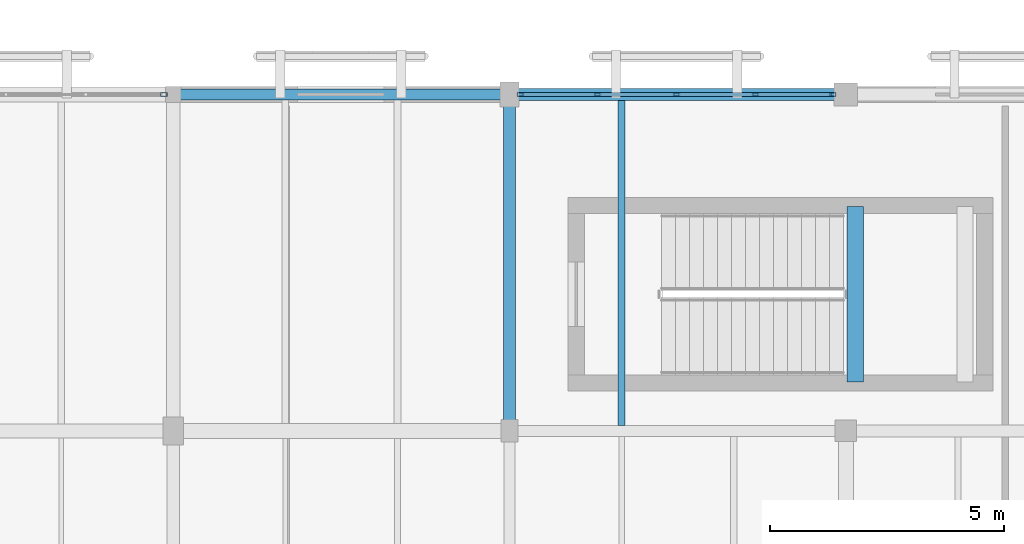
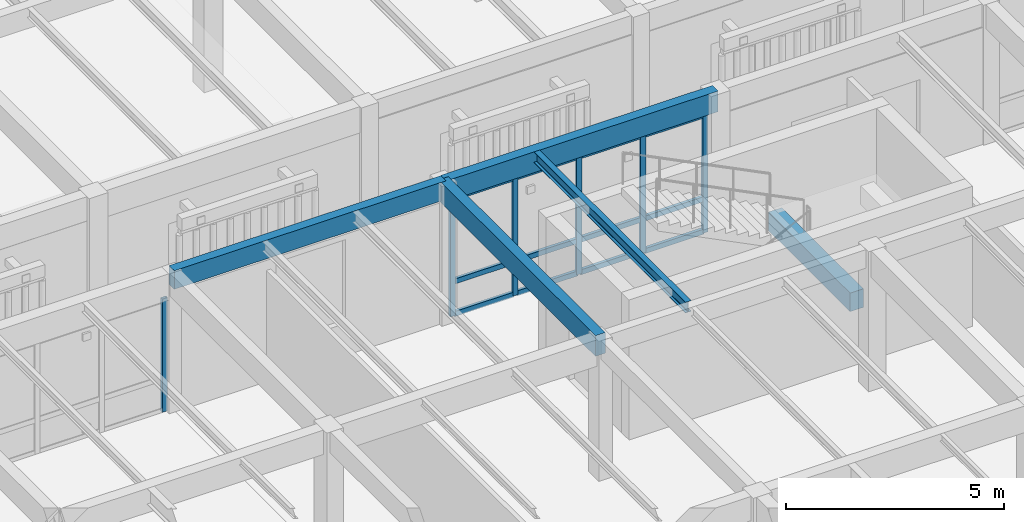
# One storey, part 139 of 217: 18 members, 5 beams, 2 elements without a shape of their own.
"""IFC4 building model written with IfcOpenShell, lengths in metres."""

import ifcopenshell
import ifcopenshell.guid

model = None  # the IFC model being written
_history = None  # IfcOwnerHistory: only IFC2X3 demands one
_inside = {}  # id of a spatial element -> (the spatial element, [elements in it])
_under = {}  # id of a project, library or spatial element -> (it, [spatial elements below it])
_declared = {}  # id of a project -> (the project, [libraries it declares])
_typed = {}  # id of a type object -> (the type object, [elements of that type])
_made_of = {}  # id of a material, layer set ... -> (it, [elements and type objects made of it])


def new_model(schema):
    """Start an empty IFC model of exactly this schema.

    Asked for "IFC4X3", IfcOpenShell would pick the latest addendum, in which some entities
    have other attributes; the version numbers below select the first issue.
    IFC2X3 requires an IfcOwnerHistory on every rooted entity: one is made here for all.
    """
    global model, _history
    if schema == "IFC4X3":
        model = ifcopenshell.file(schema_version=(4, 3, 0, 0))
    else:
        model = ifcopenshell.file(schema=schema)
    _inside.clear()
    _under.clear()
    _declared.clear()
    _typed.clear()
    _made_of.clear()
    _history = None
    if model.schema == "IFC2X3":
        org = make("IfcOrganization", Name="unknown")
        user = make(
            "IfcPersonAndOrganization",
            ThePerson=make("IfcPerson", FamilyName="unknown"),
            TheOrganization=org,
        )
        app = make(
            "IfcApplication",
            ApplicationDeveloper=org,
            Version="unknown",
            ApplicationFullName="unknown",
            ApplicationIdentifier="unknown",
        )
        _history = make(
            "IfcOwnerHistory",
            OwningUser=user,
            OwningApplication=app,
            ChangeAction="ADDED",
            CreationDate=0,
        )
    return model


def make(cls, **values):
    """One entity of the class cls with the attributes given. An attribute that is None is left unset."""
    return model.create_entity(
        cls, **{name: value for name, value in values.items() if value is not None}
    )


def rooted(cls, **values):
    """An entity with a GlobalId (a new one), such as an element, a storey or a relation."""
    return make(cls, GlobalId=ifcopenshell.guid.new(), OwnerHistory=_history, **values)


def si_unit(unit_type, name, prefix=None):
    """IfcSIUnit, for example si_unit("LENGTHUNIT", "METRE", prefix="MILLI")."""
    return make("IfcSIUnit", UnitType=unit_type, Prefix=prefix, Name=name)


def assignment(units):
    """IfcUnitAssignment: the units of a project."""
    return None if units is None else make("IfcUnitAssignment", Units=units)


def point(xyz):
    """IfcCartesianPoint."""
    return None if xyz is None else make("IfcCartesianPoint", Coordinates=xyz)


def direction(xyz):
    """IfcDirection."""
    return None if xyz is None else make("IfcDirection", DirectionRatios=xyz)


def frame(location, z_axis=None, x_axis=None):
    """IfcAxis2Placement3D, a coordinate frame: its origin and axes. An axis left out is left unset."""
    return make(
        "IfcAxis2Placement3D",
        Location=point(location),
        Axis=direction(z_axis),
        RefDirection=direction(x_axis),
    )


def frame_2d(location, x_axis=None):
    """IfcAxis2Placement2D, a coordinate frame in the plane: its origin and x axis."""
    return make(
        "IfcAxis2Placement2D", Location=point(location), RefDirection=direction(x_axis)
    )


def origin():
    """The frame at (0, 0, 0) with its axes left unset."""
    return frame((0.0, 0.0, 0.0))


def origin_2d():
    """The frame at (0, 0) in the plane with its x axis left unset."""
    return frame_2d((0.0, 0.0))


def place(relative_to, where):
    """IfcLocalPlacement: puts the frame where relative to a parent placement (None: the world)."""
    return make(
        "IfcLocalPlacement", PlacementRelTo=relative_to, RelativePlacement=where
    )


def context(
    kind, dimensions, precision=None, world=None, true_north=None, identifier=None
):
    """IfcGeometricRepresentationContext, for example the 3D "Model" context."""
    return make(
        "IfcGeometricRepresentationContext",
        ContextIdentifier=identifier,
        ContextType=kind,
        CoordinateSpaceDimension=dimensions,
        Precision=precision,
        WorldCoordinateSystem=world,
        TrueNorth=true_north,
    )


def subcontext(parent, identifier, kind, view, scale=None):
    """IfcGeometricRepresentationSubContext, for example "Body" below "Model"."""
    return make(
        "IfcGeometricRepresentationSubContext",
        ContextIdentifier=identifier,
        ContextType=kind,
        ParentContext=parent,
        TargetScale=scale,
        TargetView=view,
    )


def project(units=None, contexts=None):
    """IfcProject with its units and contexts."""
    return rooted(
        "IfcProject",
        Name="project",
        RepresentationContexts=contexts,
        UnitsInContext=assignment(units),
    )


def spatial(cls, under=None, at=None, **own):
    """A site, building, storey or space (cls), placed at a placement, below another one or the project."""
    s = rooted(cls, ObjectPlacement=at, **own)
    if under is not None:
        _under.setdefault(under.id(), (under, []))[1].append(s)
    return s


def profile(cls, at=None, kind="AREA", **sizes):
    """A parametric profile (cls). Its sizes go by their IFC names, for example OverallWidth=200.0."""
    return make(cls, ProfileType=kind, Position=at, **sizes)


def rectangle(**sizes):
    """IfcRectangleProfileDef."""
    return profile("IfcRectangleProfileDef", **sizes)


def hollow_rectangle(**sizes):
    """IfcRectangleHollowProfileDef."""
    return profile("IfcRectangleHollowProfileDef", **sizes)


def i_section(**sizes):
    """IfcIShapeProfileDef."""
    return profile("IfcIShapeProfileDef", **sizes)


def extrude(swept, where, along, depth):
    """IfcExtrudedAreaSolid: the profile swept, set in the frame where, extruded along a direction by depth."""
    return make(
        "IfcExtrudedAreaSolid",
        SweptArea=swept,
        Position=where,
        ExtrudedDirection=direction(along),
        Depth=depth,
    )


def shape(context_of_items, identifier, shape_type, items):
    """IfcShapeRepresentation: the items that make up one representation, for example the "Body"."""
    return make(
        "IfcShapeRepresentation",
        ContextOfItems=context_of_items,
        RepresentationIdentifier=identifier,
        RepresentationType=shape_type,
        Items=items,
    )


def material(Name=None, Category=None):
    """IfcMaterial."""
    return make("IfcMaterial", Name=Name, Category=Category)


def layer(
    of_material, thickness, ventilated=None, Name=None, Category=None, Priority=None
):
    """IfcMaterialLayer: one layer of a wall or slab, of a material (None: an air gap)."""
    return make(
        "IfcMaterialLayer",
        Material=of_material,
        LayerThickness=thickness,
        IsVentilated=ventilated,
        Name=Name,
        Category=Category,
        Priority=Priority,
    )


def layer_set(layers, Name=None):
    """IfcMaterialLayerSet."""
    return make("IfcMaterialLayerSet", MaterialLayers=layers, LayerSetName=Name)


def material_profile(
    of_material, cross_section, Name=None, Category=None, Priority=None
):
    """IfcMaterialProfile: a cross section and its material."""
    return make(
        "IfcMaterialProfile",
        Name=Name,
        Material=of_material,
        Profile=cross_section,
        Priority=Priority,
        Category=Category,
    )


def profile_set(profiles, Name=None, composite=None):
    """IfcMaterialProfileSet."""
    return make(
        "IfcMaterialProfileSet",
        Name=Name,
        MaterialProfiles=profiles,
        CompositeProfile=composite,
    )


def made_of(thing, what):
    """Note that an element or type object is made of a material, layer set ...; save() writes the relation."""
    if what is not None:
        _made_of.setdefault(what.id(), (what, []))[1].append(thing)
    return thing


def type_object(cls, material=None, **own):
    """A type object (cls), such as IfcWallType, which elements share."""
    return made_of(rooted(cls, **own), material)


def element(
    cls,
    number,
    at=None,
    inside=None,
    cuts=None,
    type_object=None,
    material=None,
    context=None,
    identifier="Body",
    shape_type=None,
    held_by="IfcProductDefinitionShape",
    body=None,
    shapes=None,
    **own,
):
    """One element of the class cls, such as IfcWall. Its Tag is "e" and its number.

    at: its placement. inside: the storey or other place that contains it. cuts: it is an
    opening in that element (IfcRelVoidsElement). A single representation is given by context,
    identifier, shape_type and body (its items); several are given by shapes. held_by: the class
    of the entity that holds the representations. save() writes the other relations.
    """
    e = rooted(cls, Tag="e%d" % number, ObjectPlacement=at, **own)
    if body is not None:
        shapes = [shape(context, identifier, shape_type, body)]
    if shapes is not None:
        e.Representation = make(held_by, Representations=shapes)
    if inside is not None:
        _inside.setdefault(inside.id(), (inside, []))[1].append(e)
    if cuts is not None:
        rooted(
            "IfcRelVoidsElement", RelatingBuildingElement=cuts, RelatedOpeningElement=e
        )
    if type_object is not None:
        _typed.setdefault(type_object.id(), (type_object, []))[1].append(e)
    return made_of(e, material)


def aggregate(whole, parts):
    """IfcRelAggregates: a whole, such as a stair, and the parts it consists of."""
    return rooted("IfcRelAggregates", RelatingObject=whole, RelatedObjects=parts)


def save(model, path):
    """Write the relations noted so far, then the file.

    IfcRelAggregates (storeys below a building ...), IfcRelContainedInSpatialStructure (elements
    in a storey), IfcRelDefinesByType, IfcRelAssociatesMaterial and IfcRelDeclares: one each for
    every whole, place, type object, material and project.
    """
    for whole, parts in _under.values():
        aggregate(whole, parts)
    for where, things in _inside.values():
        rooted(
            "IfcRelContainedInSpatialStructure",
            RelatedElements=things,
            RelatingStructure=where,
        )
    for kind, things in _typed.values():
        rooted("IfcRelDefinesByType", RelatedObjects=things, RelatingType=kind)
    for what, things in _made_of.values():
        rooted("IfcRelAssociatesMaterial", RelatedObjects=things, RelatingMaterial=what)
    for by, libraries in _declared.values():
        rooted("IfcRelDeclares", RelatingContext=by, RelatedDefinitions=libraries)
    model.write(path)


model = new_model("IFC4")

# Units and contexts
model_context = context("Model", 3, precision=1e-05, world=origin(), true_north=direction((0.0, 1.0)))
body_context = subcontext(model_context, "Body", "Model", "MODEL_VIEW")
ifc_project = project(units=[si_unit("LENGTHUNIT", "METRE"), si_unit("AREAUNIT", "SQUARE_METRE"), si_unit("VOLUMEUNIT", "CUBIC_METRE"), si_unit("PLANEANGLEUNIT", "RADIAN"), si_unit("MASSUNIT", "GRAM", prefix="KILO")], contexts=[model_context])

# Site, building, storey
site_placement = place(None, origin())
site = spatial("IfcSite", under=ifc_project, at=site_placement, CompositionType="ELEMENT")
building_placement = place(site_placement, origin())
building = spatial("IfcBuilding", under=site, at=building_placement, Name="Mazaris Harbour Polytechnic", CompositionType="ELEMENT")
storey_placement = place(building_placement, frame((0.0, 0.0, 9.60009765625)))
storey = spatial("IfcBuildingStorey", under=building, at=storey_placement, Name="L02", CompositionType="ELEMENT", Elevation=9.60009765625)

# Curtain wall, member
ifc_material_1 = material(Name="Anodised Bronze Aluminium and Low-E Glass", Category="aluminium")
ifc_layer = layer(ifc_material_1, 0.159912109375, Name="Anodised Bronze Aluminium and Low-E Glass")
ifc_layer_set = layer_set([ifc_layer], Name="Anodised Bronze Aluminium and Low-E Glass")
curtain_wall_type = type_object("IfcCurtainWallType", Name="Cloister Court Curtain Wall", PredefinedType="NOTDEFINED", material=ifc_layer_set)
curtain_wall_1_placement = place(storey_placement, origin())
curtain_wall_1 = element("IfcCurtainWall", 1, at=curtain_wall_1_placement, inside=storey, type_object=curtain_wall_type, Name="V2 L02 Curtain Wall 50", PredefinedType="NOTDEFINED")
ifc_material_2 = material(Name="Anodised Bronze Steel S355", Category="steel")
ifc_material_profile_1 = material_profile(ifc_material_2, hollow_rectangle(XDim=0.080078125, YDim=0.139892578125, WallThickness=0.00634765625, at=origin_2d()), Name="RHS 80x140x6.3")
ifc_profile_set_1 = profile_set([ifc_material_profile_1], Name="Anodised Bronze Steel S355")
member_type_1 = type_object("IfcMemberType", Name="Curtain Mullion RHS80x140", PredefinedType="MULLION", material=ifc_profile_set_1)
member_1_placement = place(storey_placement, frame((143.798095703125, 43.199951171875, 0.0), z_axis=(0.0, 0.0, 1.0), x_axis=(0.0, 1.0, 0.0)))
member_1 = element("IfcMember", 2, at=member_1_placement, type_object=member_type_1, Name="CW-02 mullion 5", PredefinedType="MULLION", context=body_context, shape_type="SweptSolid", body=[
    extrude(hollow_rectangle(XDim=0.080078125, YDim=0.139892578125, WallThickness=0.00634765625, at=origin_2d()), origin(), (0.0, 0.0, 1.0), 3.169921875),
])
aggregate(curtain_wall_1, [member_1])

# Curtain wall, members
curtain_wall_2_placement = place(storey_placement, origin())
curtain_wall_2 = element("IfcCurtainWall", 3, at=curtain_wall_2_placement, inside=storey, type_object=curtain_wall_type, Name="V2 L02 Curtain Wall 51", PredefinedType="NOTDEFINED")
member_2_placement = place(storey_placement, frame((151.431884765625, 43.199951171875, 0.0), z_axis=(0.0, 0.0, 1.0), x_axis=(0.0, 1.0, 0.0)))
member_2 = element("IfcMember", 4, at=member_2_placement, type_object=member_type_1, Name="CW-02 mullion 1", PredefinedType="MULLION", context=body_context, shape_type="SweptSolid", body=[
    extrude(hollow_rectangle(XDim=0.080078125, YDim=0.139892578125, WallThickness=0.00634765625, at=origin_2d()), origin(), (0.0, 0.0, 1.0), 3.329833984375),
])
member_3_placement = place(storey_placement, frame((153.08349609375, 43.199951171875, 0.0), z_axis=(0.0, 0.0, 1.0), x_axis=(0.0, 1.0, 0.0)))
member_3 = element("IfcMember", 5, at=member_3_placement, type_object=member_type_1, Name="CW-02 mullion 2", PredefinedType="MULLION", context=body_context, shape_type="SweptSolid", body=[
    extrude(hollow_rectangle(XDim=0.080078125, YDim=0.139892578125, WallThickness=0.00634765625, at=origin_2d()), origin(), (0.0, 0.0, 1.0), 3.329833984375),
])
member_4_placement = place(storey_placement, frame((154.77490234375, 43.199951171875, 0.0), z_axis=(0.0, 0.0, 1.0), x_axis=(0.0, 1.0, 0.0)))
member_4 = element("IfcMember", 6, at=member_4_placement, type_object=member_type_1, Name="CW-02 mullion 3", PredefinedType="MULLION", context=body_context, shape_type="SweptSolid", body=[
    extrude(hollow_rectangle(XDim=0.080078125, YDim=0.139892578125, WallThickness=0.00634765625, at=origin_2d()), origin(), (0.0, 0.0, 1.0), 3.329833984375),
])
member_5_placement = place(storey_placement, frame((156.466552734375, 43.199951171875, 0.0), z_axis=(0.0, 0.0, 1.0), x_axis=(0.0, 1.0, 0.0)))
member_5 = element("IfcMember", 7, at=member_5_placement, type_object=member_type_1, Name="CW-02 mullion 4", PredefinedType="MULLION", context=body_context, shape_type="SweptSolid", body=[
    extrude(hollow_rectangle(XDim=0.080078125, YDim=0.139892578125, WallThickness=0.00634765625, at=origin_2d()), origin(), (0.0, 0.0, 1.0), 3.329833984375),
])
member_6_placement = place(storey_placement, frame((158.117919921875, 43.199951171875, 0.0), z_axis=(0.0, 0.0, 1.0), x_axis=(0.0, 1.0, 0.0)))
member_6 = element("IfcMember", 8, at=member_6_placement, type_object=member_type_1, Name="CW-02 mullion 5", PredefinedType="MULLION", context=body_context, shape_type="SweptSolid", body=[
    extrude(hollow_rectangle(XDim=0.080078125, YDim=0.139892578125, WallThickness=0.00634765625, at=origin_2d()), origin(), (0.0, 0.0, 1.0), 3.329833984375),
])
ifc_material_3 = material(Name="Anodised Bronze Steel S355", Category="steel")
ifc_material_profile_2 = material_profile(ifc_material_3, hollow_rectangle(XDim=0.080078125, YDim=0.139892578125, WallThickness=0.00634765625, at=origin_2d()), Name="RHS 80x140x6.3")
ifc_profile_set_2 = profile_set([ifc_material_profile_2], Name="Anodised Bronze Steel S355")
member_type_2 = type_object("IfcMemberType", Name="Curtain Transom RHS80x140", PredefinedType="USERDEFINED", material=ifc_profile_set_2)
member_7_placement = place(storey_placement, frame((151.471923828125, 43.199951171875, 0.039794921875), z_axis=(1.0, 0.0, 0.0), x_axis=(0.0, 1.0, 0.0)))
member_7 = element("IfcMember", 9, at=member_7_placement, type_object=member_type_2, Name="CW-02 transom 1.1", ObjectType="TRANSOM", PredefinedType="USERDEFINED", context=body_context, shape_type="SweptSolid", body=[
    extrude(hollow_rectangle(XDim=0.080078125, YDim=0.139892578125, WallThickness=0.00634765625, at=origin_2d()), origin(), (0.0, 0.0, 1.0), 1.571533203125),
])
member_8_placement = place(storey_placement, frame((151.471923828125, 43.199951171875, 0.949951171875), z_axis=(1.0, 0.0, 0.0), x_axis=(0.0, 1.0, 0.0)))
member_8 = element("IfcMember", 10, at=member_8_placement, type_object=member_type_2, Name="CW-02 transom 1.2", ObjectType="TRANSOM", PredefinedType="USERDEFINED", context=body_context, shape_type="SweptSolid", body=[
    extrude(hollow_rectangle(XDim=0.080078125, YDim=0.139892578125, WallThickness=0.00634765625, at=origin_2d()), origin(), (0.0, 0.0, 1.0), 1.571533203125),
])
member_9_placement = place(storey_placement, frame((151.471923828125, 43.199951171875, 3.289794921875), z_axis=(1.0, 0.0, 0.0), x_axis=(0.0, 1.0, 0.0)))
member_9 = element("IfcMember", 11, at=member_9_placement, type_object=member_type_2, Name="CW-02 transom 1.3", ObjectType="TRANSOM", PredefinedType="USERDEFINED", context=body_context, shape_type="SweptSolid", body=[
    extrude(hollow_rectangle(XDim=0.080078125, YDim=0.139892578125, WallThickness=0.00634765625, at=origin_2d()), origin(), (0.0, 0.0, 1.0), 1.571533203125),
])
member_10_placement = place(storey_placement, frame((153.12353515625, 43.199951171875, 0.039794921875), z_axis=(1.0, 0.0, 0.0), x_axis=(0.0, 1.0, 0.0)))
member_10 = element("IfcMember", 12, at=member_10_placement, type_object=member_type_2, Name="CW-02 transom 2.1", ObjectType="TRANSOM", PredefinedType="USERDEFINED", context=body_context, shape_type="SweptSolid", body=[
    extrude(hollow_rectangle(XDim=0.080078125, YDim=0.139892578125, WallThickness=0.00634765625, at=origin_2d()), origin(), (0.0, 0.0, 1.0), 1.611572265625),
])
member_11_placement = place(storey_placement, frame((153.12353515625, 43.199951171875, 0.949951171875), z_axis=(1.0, 0.0, 0.0), x_axis=(0.0, 1.0, 0.0)))
member_11 = element("IfcMember", 13, at=member_11_placement, type_object=member_type_2, Name="CW-02 transom 2.2", ObjectType="TRANSOM", PredefinedType="USERDEFINED", context=body_context, shape_type="SweptSolid", body=[
    extrude(hollow_rectangle(XDim=0.080078125, YDim=0.139892578125, WallThickness=0.00634765625, at=origin_2d()), origin(), (0.0, 0.0, 1.0), 1.611572265625),
])
member_12_placement = place(storey_placement, frame((153.12353515625, 43.199951171875, 3.289794921875), z_axis=(1.0, 0.0, 0.0), x_axis=(0.0, 1.0, 0.0)))
member_12 = element("IfcMember", 14, at=member_12_placement, type_object=member_type_2, Name="CW-02 transom 2.3", ObjectType="TRANSOM", PredefinedType="USERDEFINED", context=body_context, shape_type="SweptSolid", body=[
    extrude(hollow_rectangle(XDim=0.080078125, YDim=0.139892578125, WallThickness=0.00634765625, at=origin_2d()), origin(), (0.0, 0.0, 1.0), 1.611572265625),
])
member_13_placement = place(storey_placement, frame((154.81494140625, 43.199951171875, 0.039794921875), z_axis=(1.0, 0.0, 0.0), x_axis=(0.0, 1.0, 0.0)))
member_13 = element("IfcMember", 15, at=member_13_placement, type_object=member_type_2, Name="CW-02 transom 3.1", ObjectType="TRANSOM", PredefinedType="USERDEFINED", context=body_context, shape_type="SweptSolid", body=[
    extrude(hollow_rectangle(XDim=0.080078125, YDim=0.139892578125, WallThickness=0.00634765625, at=origin_2d()), origin(), (0.0, 0.0, 1.0), 1.611572265625),
])
member_14_placement = place(storey_placement, frame((154.81494140625, 43.199951171875, 0.949951171875), z_axis=(1.0, 0.0, 0.0), x_axis=(0.0, 1.0, 0.0)))
member_14 = element("IfcMember", 16, at=member_14_placement, type_object=member_type_2, Name="CW-02 transom 3.2", ObjectType="TRANSOM", PredefinedType="USERDEFINED", context=body_context, shape_type="SweptSolid", body=[
    extrude(hollow_rectangle(XDim=0.080078125, YDim=0.139892578125, WallThickness=0.00634765625, at=origin_2d()), origin(), (0.0, 0.0, 1.0), 1.611572265625),
])
member_15_placement = place(storey_placement, frame((154.81494140625, 43.199951171875, 3.289794921875), z_axis=(1.0, 0.0, 0.0), x_axis=(0.0, 1.0, 0.0)))
member_15 = element("IfcMember", 17, at=member_15_placement, type_object=member_type_2, Name="CW-02 transom 3.3", ObjectType="TRANSOM", PredefinedType="USERDEFINED", context=body_context, shape_type="SweptSolid", body=[
    extrude(hollow_rectangle(XDim=0.080078125, YDim=0.139892578125, WallThickness=0.00634765625, at=origin_2d()), origin(), (0.0, 0.0, 1.0), 1.611572265625),
])
member_16_placement = place(storey_placement, frame((156.506591796875, 43.199951171875, 0.039794921875), z_axis=(1.0, 0.0, 0.0), x_axis=(0.0, 1.0, 0.0)))
member_16 = element("IfcMember", 18, at=member_16_placement, type_object=member_type_2, Name="CW-02 transom 4.1", ObjectType="TRANSOM", PredefinedType="USERDEFINED", context=body_context, shape_type="SweptSolid", body=[
    extrude(hollow_rectangle(XDim=0.080078125, YDim=0.139892578125, WallThickness=0.00634765625, at=origin_2d()), origin(), (0.0, 0.0, 1.0), 1.5712890625),
])
member_17_placement = place(storey_placement, frame((156.506591796875, 43.199951171875, 0.949951171875), z_axis=(1.0, 0.0, 0.0), x_axis=(0.0, 1.0, 0.0)))
member_17 = element("IfcMember", 19, at=member_17_placement, type_object=member_type_2, Name="CW-02 transom 4.2", ObjectType="TRANSOM", PredefinedType="USERDEFINED", context=body_context, shape_type="SweptSolid", body=[
    extrude(hollow_rectangle(XDim=0.080078125, YDim=0.139892578125, WallThickness=0.00634765625, at=origin_2d()), origin(), (0.0, 0.0, 1.0), 1.5712890625),
])
member_18_placement = place(storey_placement, frame((156.506591796875, 43.199951171875, 3.289794921875), z_axis=(1.0, 0.0, 0.0), x_axis=(0.0, 1.0, 0.0)))
member_18 = element("IfcMember", 20, at=member_18_placement, type_object=member_type_2, Name="CW-02 transom 4.3", ObjectType="TRANSOM", PredefinedType="USERDEFINED", context=body_context, shape_type="SweptSolid", body=[
    extrude(hollow_rectangle(XDim=0.080078125, YDim=0.139892578125, WallThickness=0.00634765625, at=origin_2d()), origin(), (0.0, 0.0, 1.0), 1.5712890625),
])
aggregate(curtain_wall_2, [member_2, member_3, member_4, member_5, member_6, member_7, member_8, member_9, member_10, member_11, member_12, member_13, member_14, member_15, member_16, member_17, member_18])

# Beams
ifc_material_4 = material(Name="Glulam GL32h", Category="wood")
ifc_material_profile_3 = material_profile(ifc_material_4, rectangle(XDim=0.239990234375, YDim=0.52001953125, at=origin_2d()), Name="RECT240x520")
ifc_profile_set_3 = profile_set([ifc_material_profile_3], Name="Glulam GL32h")
beam_type_1 = type_object("IfcBeamType", Name="Glulam Girder 240x520 Exterior", PredefinedType="BEAM", material=ifc_profile_set_3)
beam_1_placement = place(storey_placement, frame((144.0, 43.199951171875, 3.659912109375), z_axis=(1.0, 0.0, 0.0), x_axis=(0.0, 1.0, 0.0)))
element("IfcBeam", 21, at=beam_1_placement, inside=storey, type_object=beam_type_1, Name="V2 L02 Girder 670", PredefinedType="BEAM", context=body_context, shape_type="SweptSolid", body=[
    extrude(rectangle(XDim=0.239990234375, YDim=0.52001953125, at=origin_2d()), origin(), (0.0, 0.0, 1.0), 7.199951171875),
])
ifc_material_5 = material(Name="Glulam GL32h", Category="wood")
ifc_material_profile_4 = material_profile(ifc_material_5, rectangle(XDim=0.260009765625, YDim=0.580078125, at=origin_2d()), Name="RECT260x580")
ifc_profile_set_4 = profile_set([ifc_material_profile_4], Name="Glulam GL32h")
beam_type_2 = type_object("IfcBeamType", Name="Glulam Girder 260x580", PredefinedType="BEAM", material=ifc_profile_set_4)
beam_2_placement = place(storey_placement, frame((151.199951171875, 36.0, 3.6298828125), z_axis=(0.0, 1.0, 0.0), x_axis=(-1.0, 0.0, 0.0)))
element("IfcBeam", 22, at=beam_2_placement, inside=storey, type_object=beam_type_2, Name="V2 L02 Tie Girder 691", PredefinedType="BEAM", context=body_context, shape_type="SweptSolid", body=[
    extrude(rectangle(XDim=0.260009765625, YDim=0.580078125, at=origin_2d()), origin(), (0.0, 0.0, 1.0), 7.199951171875),
])
ifc_material_6 = material(Name="Glulam GL32h", Category="wood")
ifc_material_profile_5 = material_profile(ifc_material_6, rectangle(XDim=0.260009765625, YDim=0.580078125, at=origin_2d()), Name="RECT260x580")
ifc_profile_set_5 = profile_set([ifc_material_profile_5], Name="Glulam GL32h")
beam_type_3 = type_object("IfcBeamType", Name="Glulam Girder 260x580 Exterior", PredefinedType="BEAM", material=ifc_profile_set_5)
beam_3_placement = place(storey_placement, frame((151.199951171875, 43.199951171875, 3.6298828125), z_axis=(1.0, 0.0, 0.0), x_axis=(0.0, 1.0, 0.0)))
element("IfcBeam", 23, at=beam_3_placement, inside=storey, type_object=beam_type_3, Name="V2 L02 Girder 671", PredefinedType="BEAM", context=body_context, shape_type="SweptSolid", body=[
    extrude(rectangle(XDim=0.260009765625, YDim=0.580078125, at=origin_2d()), origin(), (0.0, 0.0, 1.0), 7.199951171875),
])
ifc_material_7 = material(Name="Concrete C40/50", Category="concrete")
ifc_material_profile_6 = material_profile(ifc_material_7, rectangle(XDim=0.35009765625, YDim=0.52001953125, at=origin_2d()), Name="RECT350x520")
ifc_profile_set_6 = profile_set([ifc_material_profile_6], Name="Concrete C40/50")
beam_type_4 = type_object("IfcBeamType", Name="RC Landing Bearer 350x520", PredefinedType="BEAM", material=ifc_profile_set_6)
beam_4_placement = place(storey_placement, frame((158.60009765625, 37.050048828125, 1.639892578125), z_axis=(0.0, 1.0, 0.0), x_axis=(-1.0, 0.0, 0.0)))
element("IfcBeam", 24, at=beam_4_placement, inside=storey, type_object=beam_type_4, Name="Core ST04 L02 Landing Bearer", PredefinedType="BEAM", context=body_context, shape_type="SweptSolid", body=[
    extrude(rectangle(XDim=0.35009765625, YDim=0.52001953125, at=origin_2d()), origin(), (0.0, 0.0, 1.0), 3.75),
])
ifc_material_8 = material(Name="Steel S355", Category="steel")
ifc_material_profile_7 = material_profile(ifc_material_8, i_section(OverallWidth=0.14990234375, OverallDepth=0.300048828125, WebThickness=0.007080078125, FlangeThickness=0.0107421875, FilletRadius=0.014892578125, at=origin_2d()), Name="IPE 300")
ifc_profile_set_7 = profile_set([ifc_material_profile_7], Name="Steel S355")
beam_type_5 = type_object("IfcBeamType", Name="Steel Joist IPE300", PredefinedType="JOIST", material=ifc_profile_set_7)
beam_5_placement = place(storey_placement, frame((153.60009765625, 36.1201171875, 3.77001953125), z_axis=(0.0, 1.0, 0.0), x_axis=(-1.0, 0.0, 0.0)))
element("IfcBeam", 25, at=beam_5_placement, inside=storey, type_object=beam_type_5, Name="V2 L02 Floor Joist 731", PredefinedType="JOIST", context=body_context, shape_type="SweptSolid", body=[
    extrude(i_section(OverallWidth=0.14990234375, OverallDepth=0.300048828125, WebThickness=0.007080078125, FlangeThickness=0.0107421875, FilletRadius=0.014892578125, at=origin_2d()), origin(), (0.0, 0.0, 1.0), 6.949951171875),
])

save(model, "model.ifc")
